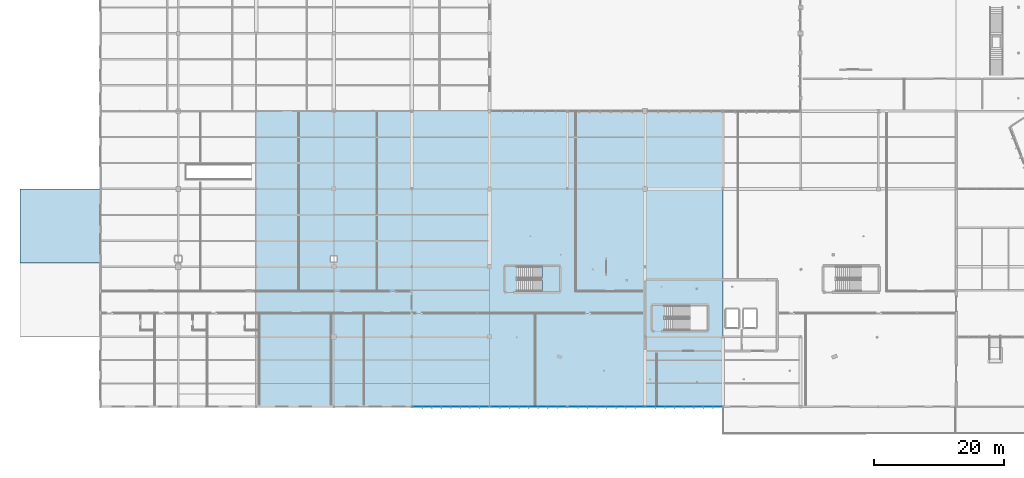
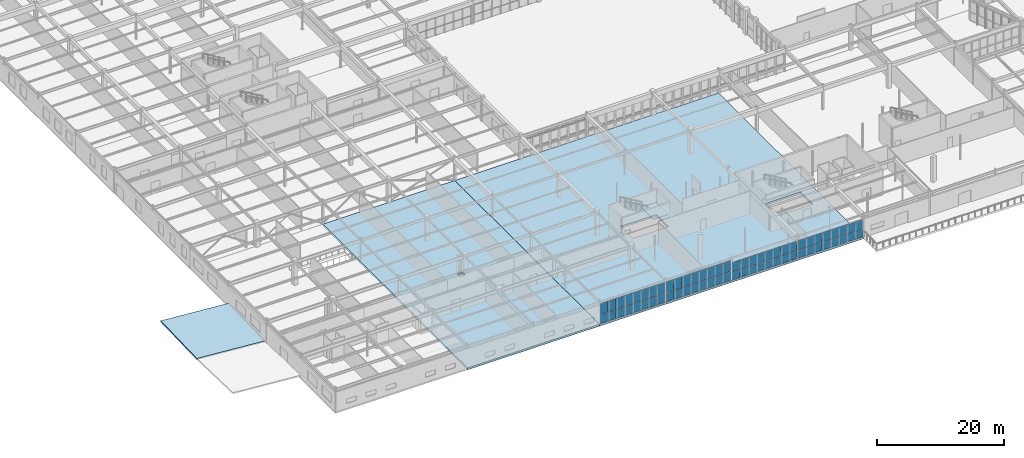
# One storey, part 117 of 199: 64 plates, 4 slabs, 5 elements without a shape of their own.
"""IFC4 building model written with IfcOpenShell, lengths in metres."""

from ifc_helpers import new_model, si_unit, direction, frame, origin, origin_2d, place, context, subcontext, project, spatial, polyline, rectangle, outline, extrude, material, layer, layer_set, type_object, element, aggregate, save


model = new_model("IFC4")

# Units and contexts
model_context = context("Model", 3, precision=1e-05, world=origin(), true_north=direction((0.0, 1.0)))
body_context = subcontext(model_context, "Body", "Model", "MODEL_VIEW")
ifc_project = project(units=[si_unit("LENGTHUNIT", "METRE"), si_unit("AREAUNIT", "SQUARE_METRE"), si_unit("VOLUMEUNIT", "CUBIC_METRE"), si_unit("PLANEANGLEUNIT", "RADIAN"), si_unit("MASSUNIT", "GRAM", prefix="KILO")], contexts=[model_context])

# Site, building, storey
site_placement = place(None, origin())
site = spatial("IfcSite", under=ifc_project, at=site_placement, CompositionType="ELEMENT")
building_placement = place(site_placement, origin())
building = spatial("IfcBuilding", under=site, at=building_placement, Name="Tarnwether General Hospital", CompositionType="ELEMENT")
storey_placement = place(building_placement, origin())
storey = spatial("IfcBuildingStorey", under=building, at=storey_placement, Name="L00", CompositionType="ELEMENT", Elevation=0.0)

# Curtain wall, plates
ifc_material_1 = material(Name="Anodised aluminium", Category="aluminium")
ifc_layer_1 = layer(ifc_material_1, 0.159912109375)
ifc_layer_set_1 = layer_set([ifc_layer_1], Name="Anodised aluminium")
curtain_wall_type = type_object("IfcCurtainWallType", Name="CW-13", PredefinedType="NOTDEFINED", material=ifc_layer_set_1)
curtain_wall_1_placement = place(storey_placement, origin())
curtain_wall_1 = element("IfcCurtainWall", 1, at=curtain_wall_1_placement, inside=storey, type_object=curtain_wall_type, Name="Curtain Wall CWG-L00-959_0-0280", PredefinedType="NOTDEFINED")
ifc_material_2 = material(Name="Double glazed low-E glass", Category="glass")
ifc_layer_2 = layer(ifc_material_2, 0.028076171875)
ifc_layer_set_2 = layer_set([ifc_layer_2], Name="Double glazed low-E glass")
plate_type = type_object("IfcPlateType", Name="PT-CWP1", PredefinedType="CURTAIN_PANEL", material=ifc_layer_set_2)
plate_1_placement = place(storey_placement, frame((95.16162109375, 0.0, 0.06005859375), z_axis=(0.0, 0.0, 1.0), x_axis=(-1.0, 0.0, 0.0)))
plate_1 = element("IfcPlate", 2, at=plate_1_placement, type_object=plate_type, Name="CW-13 panel 1.1", PredefinedType="CURTAIN_PANEL", context=body_context, shape_type="SweptSolid", body=[
    extrude(rectangle(XDim=1.388916015625, YDim=0.028076171875, at=origin_2d()), origin(), (0.0, 0.0, 1.0), 1.47607421875),
])
plate_2_placement = place(storey_placement, frame((95.16162109375, 0.0, 1.59619140625), z_axis=(0.0, 0.0, 1.0), x_axis=(-1.0, 0.0, 0.0)))
plate_2 = element("IfcPlate", 3, at=plate_2_placement, type_object=plate_type, Name="CW-13 panel 1.2", PredefinedType="CURTAIN_PANEL", context=body_context, shape_type="SweptSolid", body=[
    extrude(rectangle(XDim=1.388916015625, YDim=0.028076171875, at=origin_2d()), origin(), (0.0, 0.0, 1.0), 1.823974609375),
])
plate_3_placement = place(storey_placement, frame((93.697509765625, 0.0, 0.06005859375), z_axis=(0.0, 0.0, 1.0), x_axis=(-1.0, 0.0, 0.0)))
plate_3 = element("IfcPlate", 4, at=plate_3_placement, type_object=plate_type, Name="CW-13 panel 2.1", PredefinedType="CURTAIN_PANEL", context=body_context, shape_type="SweptSolid", body=[
    extrude(rectangle(XDim=1.4189453125, YDim=0.028076171875, at=origin_2d()), origin(), (0.0, 0.0, 1.0), 1.47607421875),
])
plate_4_placement = place(storey_placement, frame((93.697509765625, 0.0, 1.59619140625), z_axis=(0.0, 0.0, 1.0), x_axis=(-1.0, 0.0, 0.0)))
plate_4 = element("IfcPlate", 5, at=plate_4_placement, type_object=plate_type, Name="CW-13 panel 2.2", PredefinedType="CURTAIN_PANEL", context=body_context, shape_type="SweptSolid", body=[
    extrude(rectangle(XDim=1.4189453125, YDim=0.028076171875, at=origin_2d()), origin(), (0.0, 0.0, 1.0), 1.823974609375),
])
plate_5_placement = place(storey_placement, frame((92.218505859375, 0.0, 0.06005859375), z_axis=(0.0, 0.0, 1.0), x_axis=(-1.0, 0.0, 0.0)))
plate_5 = element("IfcPlate", 6, at=plate_5_placement, type_object=plate_type, Name="CW-13 panel 3.1", PredefinedType="CURTAIN_PANEL", context=body_context, shape_type="SweptSolid", body=[
    extrude(rectangle(XDim=1.4189453125, YDim=0.028076171875, at=origin_2d()), origin(), (0.0, 0.0, 1.0), 1.47607421875),
])
plate_6_placement = place(storey_placement, frame((92.218505859375, 0.0, 1.59619140625), z_axis=(0.0, 0.0, 1.0), x_axis=(-1.0, 0.0, 0.0)))
plate_6 = element("IfcPlate", 7, at=plate_6_placement, type_object=plate_type, Name="CW-13 panel 3.2", PredefinedType="CURTAIN_PANEL", context=body_context, shape_type="SweptSolid", body=[
    extrude(rectangle(XDim=1.4189453125, YDim=0.028076171875, at=origin_2d()), origin(), (0.0, 0.0, 1.0), 1.823974609375),
])
plate_7_placement = place(storey_placement, frame((90.739501953125, 0.0, 0.06005859375), z_axis=(0.0, 0.0, 1.0), x_axis=(-1.0, 0.0, 0.0)))
plate_7 = element("IfcPlate", 8, at=plate_7_placement, type_object=plate_type, Name="CW-13 panel 4.1", PredefinedType="CURTAIN_PANEL", context=body_context, shape_type="SweptSolid", body=[
    extrude(rectangle(XDim=1.4189453125, YDim=0.028076171875, at=origin_2d()), origin(), (0.0, 0.0, 1.0), 1.47607421875),
])
plate_8_placement = place(storey_placement, frame((90.739501953125, 0.0, 1.59619140625), z_axis=(0.0, 0.0, 1.0), x_axis=(-1.0, 0.0, 0.0)))
plate_8 = element("IfcPlate", 9, at=plate_8_placement, type_object=plate_type, Name="CW-13 panel 4.2", PredefinedType="CURTAIN_PANEL", context=body_context, shape_type="SweptSolid", body=[
    extrude(rectangle(XDim=1.4189453125, YDim=0.028076171875, at=origin_2d()), origin(), (0.0, 0.0, 1.0), 1.823974609375),
])
plate_9_placement = place(storey_placement, frame((89.260498046875, 0.0, 0.06005859375), z_axis=(0.0, 0.0, 1.0), x_axis=(-1.0, 0.0, 0.0)))
plate_9 = element("IfcPlate", 10, at=plate_9_placement, type_object=plate_type, Name="CW-13 panel 5.1", PredefinedType="CURTAIN_PANEL", context=body_context, shape_type="SweptSolid", body=[
    extrude(rectangle(XDim=1.4189453125, YDim=0.028076171875, at=origin_2d()), origin(), (0.0, 0.0, 1.0), 1.47607421875),
])
plate_10_placement = place(storey_placement, frame((89.260498046875, 0.0, 1.59619140625), z_axis=(0.0, 0.0, 1.0), x_axis=(-1.0, 0.0, 0.0)))
plate_10 = element("IfcPlate", 11, at=plate_10_placement, type_object=plate_type, Name="CW-13 panel 5.2", PredefinedType="CURTAIN_PANEL", context=body_context, shape_type="SweptSolid", body=[
    extrude(rectangle(XDim=1.4189453125, YDim=0.028076171875, at=origin_2d()), origin(), (0.0, 0.0, 1.0), 1.823974609375),
])
plate_11_placement = place(storey_placement, frame((87.781494140625, 0.0, 0.06005859375), z_axis=(0.0, 0.0, 1.0), x_axis=(-1.0, 0.0, 0.0)))
plate_11 = element("IfcPlate", 12, at=plate_11_placement, type_object=plate_type, Name="CW-13 panel 6.1", PredefinedType="CURTAIN_PANEL", context=body_context, shape_type="SweptSolid", body=[
    extrude(rectangle(XDim=1.4189453125, YDim=0.028076171875, at=origin_2d()), origin(), (0.0, 0.0, 1.0), 1.47607421875),
])
plate_12_placement = place(storey_placement, frame((87.781494140625, 0.0, 1.59619140625), z_axis=(0.0, 0.0, 1.0), x_axis=(-1.0, 0.0, 0.0)))
plate_12 = element("IfcPlate", 13, at=plate_12_placement, type_object=plate_type, Name="CW-13 panel 6.2", PredefinedType="CURTAIN_PANEL", context=body_context, shape_type="SweptSolid", body=[
    extrude(rectangle(XDim=1.4189453125, YDim=0.028076171875, at=origin_2d()), origin(), (0.0, 0.0, 1.0), 1.823974609375),
])
plate_13_placement = place(storey_placement, frame((86.302490234375, 0.0, 0.06005859375), z_axis=(0.0, 0.0, 1.0), x_axis=(-1.0, 0.0, 0.0)))
plate_13 = element("IfcPlate", 14, at=plate_13_placement, type_object=plate_type, Name="CW-13 panel 7.1", PredefinedType="CURTAIN_PANEL", context=body_context, shape_type="SweptSolid", body=[
    extrude(rectangle(XDim=1.4189453125, YDim=0.028076171875, at=origin_2d()), origin(), (0.0, 0.0, 1.0), 1.47607421875),
])
plate_14_placement = place(storey_placement, frame((86.302490234375, 0.0, 1.59619140625), z_axis=(0.0, 0.0, 1.0), x_axis=(-1.0, 0.0, 0.0)))
plate_14 = element("IfcPlate", 15, at=plate_14_placement, type_object=plate_type, Name="CW-13 panel 7.2", PredefinedType="CURTAIN_PANEL", context=body_context, shape_type="SweptSolid", body=[
    extrude(rectangle(XDim=1.4189453125, YDim=0.028076171875, at=origin_2d()), origin(), (0.0, 0.0, 1.0), 1.823974609375),
])
plate_15_placement = place(storey_placement, frame((84.83837890625, 0.0, 0.06005859375), z_axis=(0.0, 0.0, 1.0), x_axis=(-1.0, 0.0, 0.0)))
plate_15 = element("IfcPlate", 16, at=plate_15_placement, type_object=plate_type, Name="CW-13 panel 8.1", PredefinedType="CURTAIN_PANEL", context=body_context, shape_type="SweptSolid", body=[
    extrude(rectangle(XDim=1.388916015625, YDim=0.028076171875, at=origin_2d()), origin(), (0.0, 0.0, 1.0), 1.47607421875),
])
plate_16_placement = place(storey_placement, frame((84.83837890625, 0.0, 1.59619140625), z_axis=(0.0, 0.0, 1.0), x_axis=(-1.0, 0.0, 0.0)))
plate_16 = element("IfcPlate", 17, at=plate_16_placement, type_object=plate_type, Name="CW-13 panel 8.2", PredefinedType="CURTAIN_PANEL", context=body_context, shape_type="SweptSolid", body=[
    extrude(rectangle(XDim=1.388916015625, YDim=0.028076171875, at=origin_2d()), origin(), (0.0, 0.0, 1.0), 1.823974609375),
])
aggregate(curtain_wall_1, [plate_1, plate_2, plate_3, plate_4, plate_5, plate_6, plate_7, plate_8, plate_9, plate_10, plate_11, plate_12, plate_13, plate_14, plate_15, plate_16])

curtain_wall_2_placement = place(storey_placement, origin())
curtain_wall_2 = element("IfcCurtainWall", 18, at=curtain_wall_2_placement, inside=storey, type_object=curtain_wall_type, Name="Curtain Wall CWG-L00-839_0-0281", PredefinedType="NOTDEFINED")
plate_17_placement = place(storey_placement, frame((83.164794921875, 0.0, 0.06005859375), z_axis=(0.0, 0.0, 1.0), x_axis=(-1.0, 0.0, 0.0)))
plate_17 = element("IfcPlate", 19, at=plate_17_placement, type_object=plate_type, Name="CW-13 panel 1.1", PredefinedType="CURTAIN_PANEL", context=body_context, shape_type="SweptSolid", body=[
    extrude(rectangle(XDim=1.382568359375, YDim=0.028076171875, at=origin_2d()), origin(), (0.0, 0.0, 1.0), 1.47607421875),
])
plate_18_placement = place(storey_placement, frame((83.164794921875, 0.0, 1.59619140625), z_axis=(0.0, 0.0, 1.0), x_axis=(-1.0, 0.0, 0.0)))
plate_18 = element("IfcPlate", 20, at=plate_18_placement, type_object=plate_type, Name="CW-13 panel 1.2", PredefinedType="CURTAIN_PANEL", context=body_context, shape_type="SweptSolid", body=[
    extrude(rectangle(XDim=1.382568359375, YDim=0.028076171875, at=origin_2d()), origin(), (0.0, 0.0, 1.0), 1.823974609375),
])
plate_19_placement = place(storey_placement, frame((81.70703125, 0.0, 0.06005859375), z_axis=(0.0, 0.0, 1.0), x_axis=(-1.0, 0.0, 0.0)))
plate_19 = element("IfcPlate", 21, at=plate_19_placement, type_object=plate_type, Name="CW-13 panel 2.1", PredefinedType="CURTAIN_PANEL", context=body_context, shape_type="SweptSolid", body=[
    extrude(rectangle(XDim=1.41259765625, YDim=0.028076171875, at=origin_2d()), origin(), (0.0, 0.0, 1.0), 1.47607421875),
])
plate_20_placement = place(storey_placement, frame((81.70703125, 0.0, 1.59619140625), z_axis=(0.0, 0.0, 1.0), x_axis=(-1.0, 0.0, 0.0)))
plate_20 = element("IfcPlate", 22, at=plate_20_placement, type_object=plate_type, Name="CW-13 panel 2.2", PredefinedType="CURTAIN_PANEL", context=body_context, shape_type="SweptSolid", body=[
    extrude(rectangle(XDim=1.41259765625, YDim=0.028076171875, at=origin_2d()), origin(), (0.0, 0.0, 1.0), 1.823974609375),
])
plate_21_placement = place(storey_placement, frame((80.234375, 0.0, 0.06005859375), z_axis=(0.0, 0.0, 1.0), x_axis=(-1.0, 0.0, 0.0)))
plate_21 = element("IfcPlate", 23, at=plate_21_placement, type_object=plate_type, Name="CW-13 panel 3.1", PredefinedType="CURTAIN_PANEL", context=body_context, shape_type="SweptSolid", body=[
    extrude(rectangle(XDim=1.41259765625, YDim=0.028076171875, at=origin_2d()), origin(), (0.0, 0.0, 1.0), 1.47607421875),
])
plate_22_placement = place(storey_placement, frame((80.234375, 0.0, 1.59619140625), z_axis=(0.0, 0.0, 1.0), x_axis=(-1.0, 0.0, 0.0)))
plate_22 = element("IfcPlate", 24, at=plate_22_placement, type_object=plate_type, Name="CW-13 panel 3.2", PredefinedType="CURTAIN_PANEL", context=body_context, shape_type="SweptSolid", body=[
    extrude(rectangle(XDim=1.41259765625, YDim=0.028076171875, at=origin_2d()), origin(), (0.0, 0.0, 1.0), 1.823974609375),
])
plate_23_placement = place(storey_placement, frame((78.76171875, 0.0, 0.06005859375), z_axis=(0.0, 0.0, 1.0), x_axis=(-1.0, 0.0, 0.0)))
plate_23 = element("IfcPlate", 25, at=plate_23_placement, type_object=plate_type, Name="CW-13 panel 4.1", PredefinedType="CURTAIN_PANEL", context=body_context, shape_type="SweptSolid", body=[
    extrude(rectangle(XDim=1.41259765625, YDim=0.028076171875, at=origin_2d()), origin(), (0.0, 0.0, 1.0), 1.47607421875),
])
plate_24_placement = place(storey_placement, frame((78.76171875, 0.0, 1.59619140625), z_axis=(0.0, 0.0, 1.0), x_axis=(-1.0, 0.0, 0.0)))
plate_24 = element("IfcPlate", 26, at=plate_24_placement, type_object=plate_type, Name="CW-13 panel 4.2", PredefinedType="CURTAIN_PANEL", context=body_context, shape_type="SweptSolid", body=[
    extrude(rectangle(XDim=1.41259765625, YDim=0.028076171875, at=origin_2d()), origin(), (0.0, 0.0, 1.0), 1.823974609375),
])
plate_25_placement = place(storey_placement, frame((77.289306640625, 0.0, 0.06005859375), z_axis=(0.0, 0.0, 1.0), x_axis=(-1.0, 0.0, 0.0)))
plate_25 = element("IfcPlate", 27, at=plate_25_placement, type_object=plate_type, Name="CW-13 panel 5.1", PredefinedType="CURTAIN_PANEL", context=body_context, shape_type="SweptSolid", body=[
    extrude(rectangle(XDim=1.41259765625, YDim=0.028076171875, at=origin_2d()), origin(), (0.0, 0.0, 1.0), 1.47607421875),
])
plate_26_placement = place(storey_placement, frame((77.289306640625, 0.0, 1.59619140625), z_axis=(0.0, 0.0, 1.0), x_axis=(-1.0, 0.0, 0.0)))
plate_26 = element("IfcPlate", 28, at=plate_26_placement, type_object=plate_type, Name="CW-13 panel 5.2", PredefinedType="CURTAIN_PANEL", context=body_context, shape_type="SweptSolid", body=[
    extrude(rectangle(XDim=1.41259765625, YDim=0.028076171875, at=origin_2d()), origin(), (0.0, 0.0, 1.0), 1.823974609375),
])
plate_27_placement = place(storey_placement, frame((75.816650390625, 0.0, 0.06005859375), z_axis=(0.0, 0.0, 1.0), x_axis=(-1.0, 0.0, 0.0)))
plate_27 = element("IfcPlate", 29, at=plate_27_placement, type_object=plate_type, Name="CW-13 panel 6.1", PredefinedType="CURTAIN_PANEL", context=body_context, shape_type="SweptSolid", body=[
    extrude(rectangle(XDim=1.41259765625, YDim=0.028076171875, at=origin_2d()), origin(), (0.0, 0.0, 1.0), 1.47607421875),
])
plate_28_placement = place(storey_placement, frame((75.816650390625, 0.0, 1.59619140625), z_axis=(0.0, 0.0, 1.0), x_axis=(-1.0, 0.0, 0.0)))
plate_28 = element("IfcPlate", 30, at=plate_28_placement, type_object=plate_type, Name="CW-13 panel 6.2", PredefinedType="CURTAIN_PANEL", context=body_context, shape_type="SweptSolid", body=[
    extrude(rectangle(XDim=1.41259765625, YDim=0.028076171875, at=origin_2d()), origin(), (0.0, 0.0, 1.0), 1.823974609375),
])
plate_29_placement = place(storey_placement, frame((74.343994140625, 0.0, 0.06005859375), z_axis=(0.0, 0.0, 1.0), x_axis=(-1.0, 0.0, 0.0)))
plate_29 = element("IfcPlate", 31, at=plate_29_placement, type_object=plate_type, Name="CW-13 panel 7.1", PredefinedType="CURTAIN_PANEL", context=body_context, shape_type="SweptSolid", body=[
    extrude(rectangle(XDim=1.41259765625, YDim=0.028076171875, at=origin_2d()), origin(), (0.0, 0.0, 1.0), 1.47607421875),
])
plate_30_placement = place(storey_placement, frame((74.343994140625, 0.0, 1.59619140625), z_axis=(0.0, 0.0, 1.0), x_axis=(-1.0, 0.0, 0.0)))
plate_30 = element("IfcPlate", 32, at=plate_30_placement, type_object=plate_type, Name="CW-13 panel 7.2", PredefinedType="CURTAIN_PANEL", context=body_context, shape_type="SweptSolid", body=[
    extrude(rectangle(XDim=1.41259765625, YDim=0.028076171875, at=origin_2d()), origin(), (0.0, 0.0, 1.0), 1.823974609375),
])
plate_31_placement = place(storey_placement, frame((72.88623046875, 0.0, 0.06005859375), z_axis=(0.0, 0.0, 1.0), x_axis=(-1.0, 0.0, 0.0)))
plate_31 = element("IfcPlate", 33, at=plate_31_placement, type_object=plate_type, Name="CW-13 panel 8.1", PredefinedType="CURTAIN_PANEL", context=body_context, shape_type="SweptSolid", body=[
    extrude(rectangle(XDim=1.382568359375, YDim=0.028076171875, at=origin_2d()), origin(), (0.0, 0.0, 1.0), 1.47607421875),
])
plate_32_placement = place(storey_placement, frame((72.88623046875, 0.0, 1.59619140625), z_axis=(0.0, 0.0, 1.0), x_axis=(-1.0, 0.0, 0.0)))
plate_32 = element("IfcPlate", 34, at=plate_32_placement, type_object=plate_type, Name="CW-13 panel 8.2", PredefinedType="CURTAIN_PANEL", context=body_context, shape_type="SweptSolid", body=[
    extrude(rectangle(XDim=1.382568359375, YDim=0.028076171875, at=origin_2d()), origin(), (0.0, 0.0, 1.0), 1.823974609375),
])
aggregate(curtain_wall_2, [plate_17, plate_18, plate_19, plate_20, plate_21, plate_22, plate_23, plate_24, plate_25, plate_26, plate_27, plate_28, plate_29, plate_30, plate_31, plate_32])

curtain_wall_3_placement = place(storey_placement, origin())
curtain_wall_3 = element("IfcCurtainWall", 35, at=curtain_wall_3_placement, inside=storey, type_object=curtain_wall_type, Name="Curtain Wall CWG-L00-719_0-0282", PredefinedType="NOTDEFINED")
plate_33_placement = place(storey_placement, frame((71.116943359375, 0.0, 0.06005859375), z_axis=(0.0, 0.0, 1.0), x_axis=(-1.0, 0.0, 0.0)))
plate_33 = element("IfcPlate", 36, at=plate_33_placement, type_object=plate_type, Name="CW-13 panel 1.1", PredefinedType="CURTAIN_PANEL", context=body_context, shape_type="SweptSolid", body=[
    extrude(rectangle(XDim=1.376220703125, YDim=0.028076171875, at=origin_2d()), origin(), (0.0, 0.0, 1.0), 1.69775390625),
])
plate_34_placement = place(storey_placement, frame((71.116943359375, 0.0, 1.81787109375), z_axis=(0.0, 0.0, 1.0), x_axis=(-1.0, 0.0, 0.0)))
plate_34 = element("IfcPlate", 37, at=plate_34_placement, type_object=plate_type, Name="CW-13 panel 1.2", PredefinedType="CURTAIN_PANEL", context=body_context, shape_type="SweptSolid", body=[
    extrude(rectangle(XDim=1.376220703125, YDim=0.028076171875, at=origin_2d()), origin(), (0.0, 0.0, 1.0), 2.09521484375),
])
plate_35_placement = place(storey_placement, frame((69.66552734375, 0.0, 0.06005859375), z_axis=(0.0, 0.0, 1.0), x_axis=(-1.0, 0.0, 0.0)))
plate_35 = element("IfcPlate", 38, at=plate_35_placement, type_object=plate_type, Name="CW-13 panel 2.1", PredefinedType="CURTAIN_PANEL", context=body_context, shape_type="SweptSolid", body=[
    extrude(rectangle(XDim=1.40625, YDim=0.028076171875, at=origin_2d()), origin(), (0.0, 0.0, 1.0), 1.69775390625),
])
plate_36_placement = place(storey_placement, frame((69.66552734375, 0.0, 1.81787109375), z_axis=(0.0, 0.0, 1.0), x_axis=(-1.0, 0.0, 0.0)))
plate_36 = element("IfcPlate", 39, at=plate_36_placement, type_object=plate_type, Name="CW-13 panel 2.2", PredefinedType="CURTAIN_PANEL", context=body_context, shape_type="SweptSolid", body=[
    extrude(rectangle(XDim=1.40625, YDim=0.028076171875, at=origin_2d()), origin(), (0.0, 0.0, 1.0), 2.09521484375),
])
plate_37_placement = place(storey_placement, frame((68.199462890625, 0.0, 0.06005859375), z_axis=(0.0, 0.0, 1.0), x_axis=(-1.0, 0.0, 0.0)))
plate_37 = element("IfcPlate", 40, at=plate_37_placement, type_object=plate_type, Name="CW-13 panel 3.1", PredefinedType="CURTAIN_PANEL", context=body_context, shape_type="SweptSolid", body=[
    extrude(rectangle(XDim=1.40625, YDim=0.028076171875, at=origin_2d()), origin(), (0.0, 0.0, 1.0), 1.69775390625),
])
plate_38_placement = place(storey_placement, frame((68.199462890625, 0.0, 1.81787109375), z_axis=(0.0, 0.0, 1.0), x_axis=(-1.0, 0.0, 0.0)))
plate_38 = element("IfcPlate", 41, at=plate_38_placement, type_object=plate_type, Name="CW-13 panel 3.2", PredefinedType="CURTAIN_PANEL", context=body_context, shape_type="SweptSolid", body=[
    extrude(rectangle(XDim=1.40625, YDim=0.028076171875, at=origin_2d()), origin(), (0.0, 0.0, 1.0), 2.09521484375),
])
plate_39_placement = place(storey_placement, frame((66.733154296875, 0.0, 0.06005859375), z_axis=(0.0, 0.0, 1.0), x_axis=(-1.0, 0.0, 0.0)))
plate_39 = element("IfcPlate", 42, at=plate_39_placement, type_object=plate_type, Name="CW-13 panel 4.1", PredefinedType="CURTAIN_PANEL", context=body_context, shape_type="SweptSolid", body=[
    extrude(rectangle(XDim=1.40625, YDim=0.028076171875, at=origin_2d()), origin(), (0.0, 0.0, 1.0), 1.69775390625),
])
plate_40_placement = place(storey_placement, frame((66.733154296875, 0.0, 1.81787109375), z_axis=(0.0, 0.0, 1.0), x_axis=(-1.0, 0.0, 0.0)))
plate_40 = element("IfcPlate", 43, at=plate_40_placement, type_object=plate_type, Name="CW-13 panel 4.2", PredefinedType="CURTAIN_PANEL", context=body_context, shape_type="SweptSolid", body=[
    extrude(rectangle(XDim=1.40625, YDim=0.028076171875, at=origin_2d()), origin(), (0.0, 0.0, 1.0), 2.09521484375),
])
plate_41_placement = place(storey_placement, frame((65.266845703125, 0.0, 0.06005859375), z_axis=(0.0, 0.0, 1.0), x_axis=(-1.0, 0.0, 0.0)))
plate_41 = element("IfcPlate", 44, at=plate_41_placement, type_object=plate_type, Name="CW-13 panel 5.1", PredefinedType="CURTAIN_PANEL", context=body_context, shape_type="SweptSolid", body=[
    extrude(rectangle(XDim=1.40625, YDim=0.028076171875, at=origin_2d()), origin(), (0.0, 0.0, 1.0), 1.69775390625),
])
plate_42_placement = place(storey_placement, frame((65.266845703125, 0.0, 1.81787109375), z_axis=(0.0, 0.0, 1.0), x_axis=(-1.0, 0.0, 0.0)))
plate_42 = element("IfcPlate", 45, at=plate_42_placement, type_object=plate_type, Name="CW-13 panel 5.2", PredefinedType="CURTAIN_PANEL", context=body_context, shape_type="SweptSolid", body=[
    extrude(rectangle(XDim=1.40625, YDim=0.028076171875, at=origin_2d()), origin(), (0.0, 0.0, 1.0), 2.09521484375),
])
plate_43_placement = place(storey_placement, frame((63.800537109375, 0.0, 0.06005859375), z_axis=(0.0, 0.0, 1.0), x_axis=(-1.0, 0.0, 0.0)))
plate_43 = element("IfcPlate", 46, at=plate_43_placement, type_object=plate_type, Name="CW-13 panel 6.1", PredefinedType="CURTAIN_PANEL", context=body_context, shape_type="SweptSolid", body=[
    extrude(rectangle(XDim=1.40625, YDim=0.028076171875, at=origin_2d()), origin(), (0.0, 0.0, 1.0), 1.69775390625),
])
plate_44_placement = place(storey_placement, frame((63.800537109375, 0.0, 1.81787109375), z_axis=(0.0, 0.0, 1.0), x_axis=(-1.0, 0.0, 0.0)))
plate_44 = element("IfcPlate", 47, at=plate_44_placement, type_object=plate_type, Name="CW-13 panel 6.2", PredefinedType="CURTAIN_PANEL", context=body_context, shape_type="SweptSolid", body=[
    extrude(rectangle(XDim=1.40625, YDim=0.028076171875, at=origin_2d()), origin(), (0.0, 0.0, 1.0), 2.09521484375),
])
plate_45_placement = place(storey_placement, frame((62.33447265625, 0.0, 0.06005859375), z_axis=(0.0, 0.0, 1.0), x_axis=(-1.0, 0.0, 0.0)))
plate_45 = element("IfcPlate", 48, at=plate_45_placement, type_object=plate_type, Name="CW-13 panel 7.1", PredefinedType="CURTAIN_PANEL", context=body_context, shape_type="SweptSolid", body=[
    extrude(rectangle(XDim=1.40625, YDim=0.028076171875, at=origin_2d()), origin(), (0.0, 0.0, 1.0), 1.69775390625),
])
plate_46_placement = place(storey_placement, frame((62.33447265625, 0.0, 1.81787109375), z_axis=(0.0, 0.0, 1.0), x_axis=(-1.0, 0.0, 0.0)))
plate_46 = element("IfcPlate", 49, at=plate_46_placement, type_object=plate_type, Name="CW-13 panel 7.2", PredefinedType="CURTAIN_PANEL", context=body_context, shape_type="SweptSolid", body=[
    extrude(rectangle(XDim=1.40625, YDim=0.028076171875, at=origin_2d()), origin(), (0.0, 0.0, 1.0), 2.09521484375),
])
plate_47_placement = place(storey_placement, frame((60.883056640625, 0.0, 0.06005859375), z_axis=(0.0, 0.0, 1.0), x_axis=(-1.0, 0.0, 0.0)))
plate_47 = element("IfcPlate", 50, at=plate_47_placement, type_object=plate_type, Name="CW-13 panel 8.1", PredefinedType="CURTAIN_PANEL", context=body_context, shape_type="SweptSolid", body=[
    extrude(rectangle(XDim=1.376220703125, YDim=0.028076171875, at=origin_2d()), origin(), (0.0, 0.0, 1.0), 1.69775390625),
])
plate_48_placement = place(storey_placement, frame((60.883056640625, 0.0, 1.81787109375), z_axis=(0.0, 0.0, 1.0), x_axis=(-1.0, 0.0, 0.0)))
plate_48 = element("IfcPlate", 51, at=plate_48_placement, type_object=plate_type, Name="CW-13 panel 8.2", PredefinedType="CURTAIN_PANEL", context=body_context, shape_type="SweptSolid", body=[
    extrude(rectangle(XDim=1.376220703125, YDim=0.028076171875, at=origin_2d()), origin(), (0.0, 0.0, 1.0), 2.09521484375),
])
aggregate(curtain_wall_3, [plate_33, plate_34, plate_35, plate_36, plate_37, plate_38, plate_39, plate_40, plate_41, plate_42, plate_43, plate_44, plate_45, plate_46, plate_47, plate_48])

curtain_wall_4_placement = place(storey_placement, origin())
curtain_wall_4 = element("IfcCurtainWall", 52, at=curtain_wall_4_placement, inside=storey, type_object=curtain_wall_type, Name="Curtain Wall CWG-L00-599_0-0283", PredefinedType="NOTDEFINED")
plate_49_placement = place(storey_placement, frame((59.116943359375, 0.0, 0.06005859375), z_axis=(0.0, 0.0, 1.0), x_axis=(-1.0, 0.0, 0.0)))
plate_49 = element("IfcPlate", 53, at=plate_49_placement, type_object=plate_type, Name="CW-13 panel 1.1", PredefinedType="CURTAIN_PANEL", context=body_context, shape_type="SweptSolid", body=[
    extrude(rectangle(XDim=1.376220703125, YDim=0.028076171875, at=origin_2d()), origin(), (0.0, 0.0, 1.0), 1.696533203125),
])
plate_50_placement = place(storey_placement, frame((59.116943359375, 0.0, 1.81640625), z_axis=(0.0, 0.0, 1.0), x_axis=(-1.0, 0.0, 0.0)))
plate_50 = element("IfcPlate", 54, at=plate_50_placement, type_object=plate_type, Name="CW-13 panel 1.2", PredefinedType="CURTAIN_PANEL", context=body_context, shape_type="SweptSolid", body=[
    extrude(rectangle(XDim=1.376220703125, YDim=0.028076171875, at=origin_2d()), origin(), (0.0, 0.0, 1.0), 2.093505859375),
])
plate_51_placement = place(storey_placement, frame((57.66552734375, 0.0, 0.06005859375), z_axis=(0.0, 0.0, 1.0), x_axis=(-1.0, 0.0, 0.0)))
plate_51 = element("IfcPlate", 55, at=plate_51_placement, type_object=plate_type, Name="CW-13 panel 2.1", PredefinedType="CURTAIN_PANEL", context=body_context, shape_type="SweptSolid", body=[
    extrude(rectangle(XDim=1.40625, YDim=0.028076171875, at=origin_2d()), origin(), (0.0, 0.0, 1.0), 1.696533203125),
])
plate_52_placement = place(storey_placement, frame((57.66552734375, 0.0, 1.81640625), z_axis=(0.0, 0.0, 1.0), x_axis=(-1.0, 0.0, 0.0)))
plate_52 = element("IfcPlate", 56, at=plate_52_placement, type_object=plate_type, Name="CW-13 panel 2.2", PredefinedType="CURTAIN_PANEL", context=body_context, shape_type="SweptSolid", body=[
    extrude(rectangle(XDim=1.40625, YDim=0.028076171875, at=origin_2d()), origin(), (0.0, 0.0, 1.0), 2.093505859375),
])
plate_53_placement = place(storey_placement, frame((56.199462890625, 0.0, 0.06005859375), z_axis=(0.0, 0.0, 1.0), x_axis=(-1.0, 0.0, 0.0)))
plate_53 = element("IfcPlate", 57, at=plate_53_placement, type_object=plate_type, Name="CW-13 panel 3.1", PredefinedType="CURTAIN_PANEL", context=body_context, shape_type="SweptSolid", body=[
    extrude(rectangle(XDim=1.40625, YDim=0.028076171875, at=origin_2d()), origin(), (0.0, 0.0, 1.0), 1.696533203125),
])
plate_54_placement = place(storey_placement, frame((56.199462890625, 0.0, 1.81640625), z_axis=(0.0, 0.0, 1.0), x_axis=(-1.0, 0.0, 0.0)))
plate_54 = element("IfcPlate", 58, at=plate_54_placement, type_object=plate_type, Name="CW-13 panel 3.2", PredefinedType="CURTAIN_PANEL", context=body_context, shape_type="SweptSolid", body=[
    extrude(rectangle(XDim=1.40625, YDim=0.028076171875, at=origin_2d()), origin(), (0.0, 0.0, 1.0), 2.093505859375),
])
plate_55_placement = place(storey_placement, frame((54.733154296875, 0.0, 0.06005859375), z_axis=(0.0, 0.0, 1.0), x_axis=(-1.0, 0.0, 0.0)))
plate_55 = element("IfcPlate", 59, at=plate_55_placement, type_object=plate_type, Name="CW-13 panel 4.1", PredefinedType="CURTAIN_PANEL", context=body_context, shape_type="SweptSolid", body=[
    extrude(rectangle(XDim=1.40625, YDim=0.028076171875, at=origin_2d()), origin(), (0.0, 0.0, 1.0), 1.696533203125),
])
plate_56_placement = place(storey_placement, frame((54.733154296875, 0.0, 1.81640625), z_axis=(0.0, 0.0, 1.0), x_axis=(-1.0, 0.0, 0.0)))
plate_56 = element("IfcPlate", 60, at=plate_56_placement, type_object=plate_type, Name="CW-13 panel 4.2", PredefinedType="CURTAIN_PANEL", context=body_context, shape_type="SweptSolid", body=[
    extrude(rectangle(XDim=1.40625, YDim=0.028076171875, at=origin_2d()), origin(), (0.0, 0.0, 1.0), 2.093505859375),
])
plate_57_placement = place(storey_placement, frame((53.266845703125, 0.0, 0.06005859375), z_axis=(0.0, 0.0, 1.0), x_axis=(-1.0, 0.0, 0.0)))
plate_57 = element("IfcPlate", 61, at=plate_57_placement, type_object=plate_type, Name="CW-13 panel 5.1", PredefinedType="CURTAIN_PANEL", context=body_context, shape_type="SweptSolid", body=[
    extrude(rectangle(XDim=1.40625, YDim=0.028076171875, at=origin_2d()), origin(), (0.0, 0.0, 1.0), 1.696533203125),
])
plate_58_placement = place(storey_placement, frame((53.266845703125, 0.0, 1.81640625), z_axis=(0.0, 0.0, 1.0), x_axis=(-1.0, 0.0, 0.0)))
plate_58 = element("IfcPlate", 62, at=plate_58_placement, type_object=plate_type, Name="CW-13 panel 5.2", PredefinedType="CURTAIN_PANEL", context=body_context, shape_type="SweptSolid", body=[
    extrude(rectangle(XDim=1.40625, YDim=0.028076171875, at=origin_2d()), origin(), (0.0, 0.0, 1.0), 2.093505859375),
])
plate_59_placement = place(storey_placement, frame((51.800537109375, 0.0, 0.06005859375), z_axis=(0.0, 0.0, 1.0), x_axis=(-1.0, 0.0, 0.0)))
plate_59 = element("IfcPlate", 63, at=plate_59_placement, type_object=plate_type, Name="CW-13 panel 6.1", PredefinedType="CURTAIN_PANEL", context=body_context, shape_type="SweptSolid", body=[
    extrude(rectangle(XDim=1.40625, YDim=0.028076171875, at=origin_2d()), origin(), (0.0, 0.0, 1.0), 1.696533203125),
])
plate_60_placement = place(storey_placement, frame((51.800537109375, 0.0, 1.81640625), z_axis=(0.0, 0.0, 1.0), x_axis=(-1.0, 0.0, 0.0)))
plate_60 = element("IfcPlate", 64, at=plate_60_placement, type_object=plate_type, Name="CW-13 panel 6.2", PredefinedType="CURTAIN_PANEL", context=body_context, shape_type="SweptSolid", body=[
    extrude(rectangle(XDim=1.40625, YDim=0.028076171875, at=origin_2d()), origin(), (0.0, 0.0, 1.0), 2.093505859375),
])
plate_61_placement = place(storey_placement, frame((50.33447265625, 0.0, 0.06005859375), z_axis=(0.0, 0.0, 1.0), x_axis=(-1.0, 0.0, 0.0)))
plate_61 = element("IfcPlate", 65, at=plate_61_placement, type_object=plate_type, Name="CW-13 panel 7.1", PredefinedType="CURTAIN_PANEL", context=body_context, shape_type="SweptSolid", body=[
    extrude(rectangle(XDim=1.40625, YDim=0.028076171875, at=origin_2d()), origin(), (0.0, 0.0, 1.0), 1.696533203125),
])
plate_62_placement = place(storey_placement, frame((50.33447265625, 0.0, 1.81640625), z_axis=(0.0, 0.0, 1.0), x_axis=(-1.0, 0.0, 0.0)))
plate_62 = element("IfcPlate", 66, at=plate_62_placement, type_object=plate_type, Name="CW-13 panel 7.2", PredefinedType="CURTAIN_PANEL", context=body_context, shape_type="SweptSolid", body=[
    extrude(rectangle(XDim=1.40625, YDim=0.028076171875, at=origin_2d()), origin(), (0.0, 0.0, 1.0), 2.093505859375),
])
plate_63_placement = place(storey_placement, frame((48.883056640625, 0.0, 0.06005859375), z_axis=(0.0, 0.0, 1.0), x_axis=(-1.0, 0.0, 0.0)))
plate_63 = element("IfcPlate", 67, at=plate_63_placement, type_object=plate_type, Name="CW-13 panel 8.1", PredefinedType="CURTAIN_PANEL", context=body_context, shape_type="SweptSolid", body=[
    extrude(rectangle(XDim=1.376220703125, YDim=0.028076171875, at=origin_2d()), origin(), (0.0, 0.0, 1.0), 1.696533203125),
])
plate_64_placement = place(storey_placement, frame((48.883056640625, 0.0, 1.81640625), z_axis=(0.0, 0.0, 1.0), x_axis=(-1.0, 0.0, 0.0)))
plate_64 = element("IfcPlate", 68, at=plate_64_placement, type_object=plate_type, Name="CW-13 panel 8.2", PredefinedType="CURTAIN_PANEL", context=body_context, shape_type="SweptSolid", body=[
    extrude(rectangle(XDim=1.376220703125, YDim=0.028076171875, at=origin_2d()), origin(), (0.0, 0.0, 1.0), 2.093505859375),
])
aggregate(curtain_wall_4, [plate_49, plate_50, plate_51, plate_52, plate_53, plate_54, plate_55, plate_56, plate_57, plate_58, plate_59, plate_60, plate_61, plate_62, plate_63, plate_64])

# Slabs
ifc_material_3 = material(Name="Concrete 40 MPa", Category="concrete")
ifc_layer_3 = layer(ifc_material_3, 0.3701171875)
ifc_layer_set_3 = layer_set([ifc_layer_3], Name="Concrete 40 MPa")
slab_type_1 = type_object("IfcSlabType", Name="SL-FL260", PredefinedType="FLOOR", material=ifc_layer_set_3)
slab_1_placement = place(storey_placement, frame((0.0, 0.0, -0.3701171875)))
element("IfcSlab", 69, at=slab_1_placement, inside=storey, type_object=slab_type_1, Name="L00 Emergency East Floor SL-L00-V2B", PredefinedType="FLOOR", context=body_context, shape_type="SweptSolid", body=[
    extrude(outline(polyline([(24.0, 45.60009765625), (48.0, 45.60009765625), (48.0, 0.0), (24.0, 0.0), (24.0, 45.60009765625)]), holes=[polyline([(36.449951171875, 23.25), (35.550048828125, 23.25), (35.550048828125, 22.35009765625), (36.449951171875, 22.35009765625), (36.449951171875, 23.25)])]), origin(), (0.0, 0.0, 1.0), 0.3701171875),
])
slab_2_placement = place(storey_placement, frame((0.0, 0.0, -0.3701171875)))
element("IfcSlab", 70, at=slab_2_placement, inside=storey, type_object=slab_type_1, Name="L00 South Diagnostic West Floor SL-L00-V4S1", PredefinedType="FLOOR", context=body_context, shape_type="SweptSolid", body=[
    extrude(outline(polyline([(48.0, 0.0), (48.0, 45.60009765625), (96.0, 45.60009765625), (96.0, 0.0), (48.0, 0.0)]), holes=[polyline([(64.3798828125, 21.60009765625), (64.3798828125, 17.800048828125), (70.800048828125, 17.800048828125), (70.800048828125, 21.60009765625), (64.3798828125, 21.60009765625)]), polyline([(93.60009765625, 15.60009765625), (87.179931640625, 15.60009765625), (87.179931640625, 11.800048828125), (93.60009765625, 11.800048828125), (93.60009765625, 15.60009765625)])]), origin(), (0.0, 0.0, 1.0), 0.3701171875),
])

# Stair, slab
ifc_material_4 = material(Name="Concrete 40 MPa", Category="concrete")
stair_type = type_object("IfcStairType", Name="ST-DL48A", PredefinedType="HALF_TURN_STAIR", material=ifc_material_4)
stair_placement = place(storey_placement, origin())
stair = element("IfcStair", 71, at=stair_placement, inside=storey, type_object=stair_type, Name="L00 Exit Stair ST-09", PredefinedType="HALF_TURN_STAIR")
ifc_material_5 = material(Name="Concrete 40 MPa", Category="concrete")
ifc_layer_4 = layer(ifc_material_5, 0.199951171875)
ifc_layer_set_4 = layer_set([ifc_layer_4], Name="Concrete 40 MPa")
slab_type_2 = type_object("IfcSlabType", Name="SL-LD200", PredefinedType="LANDING", material=ifc_layer_set_4)
slab_3_placement = place(storey_placement, frame((0.0, 0.0, 2.199951171875)))
slab_3 = element("IfcSlab", 72, at=slab_3_placement, type_object=slab_type_2, Name="ST-09 landing 1", PredefinedType="LANDING", context=body_context, shape_type="SweptSolid", body=[
    extrude(outline(polyline([(68.10009765625, 17.800048828125), (70.800048828125, 17.800048828125), (70.800048828125, 21.60009765625), (68.10009765625, 21.60009765625), (68.10009765625, 17.800048828125)])), origin(), (0.0, 0.0, 1.0), 0.199951171875),
])
aggregate(stair, [slab_3])

# Slab
ifc_material_6 = material(Name="Concrete 40 MPa", Category="concrete")
ifc_layer_5 = layer(ifc_material_6, 0.239990234375)
ifc_layer_set_5 = layer_set([ifc_layer_5], Name="Concrete 40 MPa")
slab_type_3 = type_object("IfcSlabType", Name="SL-RF240", PredefinedType="ROOF", material=ifc_layer_set_5)
slab_4_placement = place(storey_placement, frame((-12.39990234375, 22.199951171875, 1.10009765625), z_axis=(0.076359736269, -0.030595173147, 0.996610819757), x_axis=(0.997077592845, -2.99295e-07, -0.076395509337)))
element("IfcSlab", 73, at=slab_4_placement, inside=storey, type_object=slab_type_3, Name="West Ambulance Folded Canopy North Wing", PredefinedType="ROOF", context=body_context, shape_type="SweptSolid", body=[
    extrude(outline(polyline([(0.0, 0.0), (12.436255435284103, -3.469446951953614e-18), (12.40950613451453, 11.405489585906754), (-0.026730649522176943, 11.405482138216632), (0.0, 0.0)])), origin(), (0.0, 0.0, -1.0), 0.239990234375),
])

save(model, "model.ifc")
